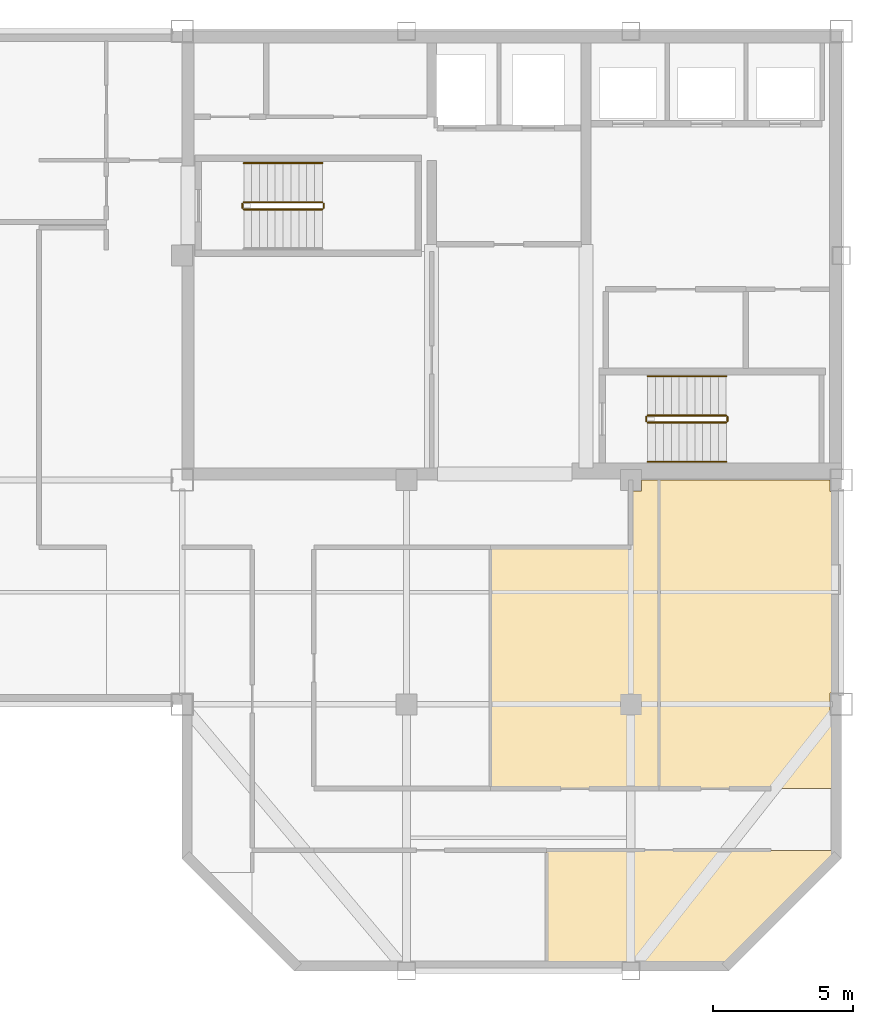
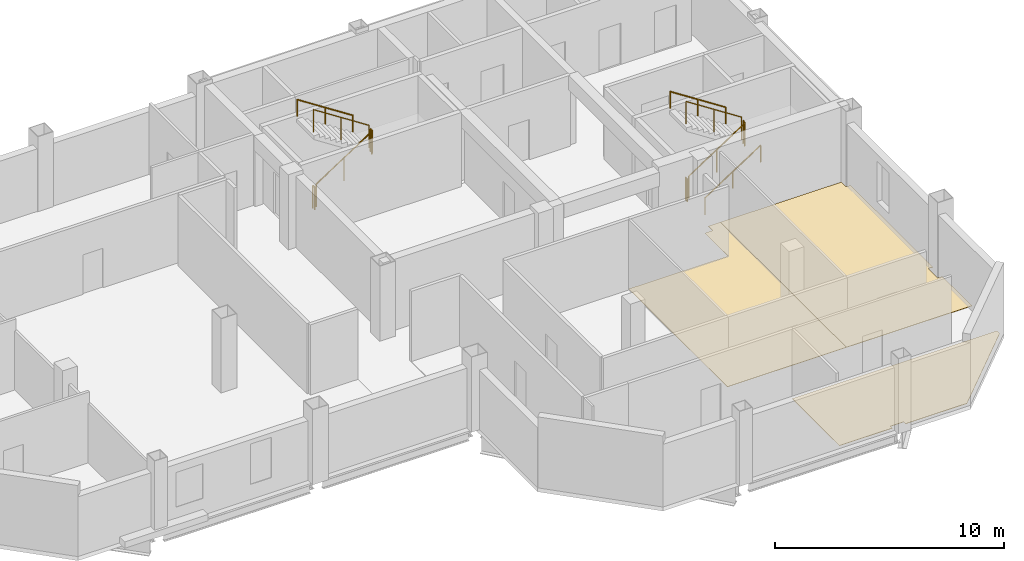
# One storey, part 6 of 7: 11 railings, 3 coverings.
"""IFC4 building model written with IfcOpenShell, lengths in metres."""

from ifc_helpers import new_model, si_unit, direction, frame, origin, origin_2d, place, context, subcontext, project, spatial, polyline, circle, outline, extrude, material, layer, layer_set, type_object, element, save


model = new_model("IFC4")

# Units and contexts
model_context = context("Model", 3, precision=1e-05, world=origin(), true_north=direction((0.0, 1.0)))
body_context = subcontext(model_context, "Body", "Model", "MODEL_VIEW")
ifc_project = project(units=[si_unit("LENGTHUNIT", "METRE"), si_unit("AREAUNIT", "SQUARE_METRE"), si_unit("VOLUMEUNIT", "CUBIC_METRE"), si_unit("PLANEANGLEUNIT", "RADIAN"), si_unit("MASSUNIT", "GRAM", prefix="KILO")], contexts=[model_context])

# Site, building, storey
site_placement = place(None, origin())
site = spatial("IfcSite", under=ifc_project, at=site_placement, CompositionType="ELEMENT")
building_placement = place(site_placement, origin())
building = spatial("IfcBuilding", under=site, at=building_placement, Name="Qianrong Seaharbour Tower", CompositionType="ELEMENT")
storey_placement = place(building_placement, frame((0.0, 0.0, 327.199951171875)))
storey = spatial("IfcBuildingStorey", under=building, at=storey_placement, Name="L79", CompositionType="ELEMENT", Elevation=327.199951171875)

# Coverings
ifc_material_1 = material(Name="Acoustic modular carpet tile flooring")
ifc_layer = layer(ifc_material_1, 0.02001953125)
ifc_layer_set = layer_set([ifc_layer], Name="Acoustic modular carpet tile flooring")
covering_type = type_object("IfcCoveringType", Name="COV-FLOOR-CARPET-20", PredefinedType="FLOORING", material=ifc_layer_set)
covering_1_placement = place(storey_placement, origin())
element("IfcCovering", 1, at=covering_1_placement, inside=storey, type_object=covering_type, Name="L79 Catering Servery Kitchen 2 Finish Flooring", PredefinedType="FLOORING", context=body_context, shape_type="SweptSolid", body=[
    extrude(outline(polyline([(56.5, 33.60009765625), (56.5, 35.614990234375), (56.885009765625, 35.614990234375), (56.885009765625, 36.0), (57.5, 36.0), (57.5, 25.0), (51.5, 25.0), (51.5, 33.60009765625), (56.5, 33.60009765625)])), origin(), (0.0, 0.0, 1.0), 0.02001953125),
])
covering_2_placement = place(storey_placement, origin())
element("IfcCovering", 2, at=covering_2_placement, inside=storey, type_object=covering_type, Name="L79 Staff Lounge 3 Finish Flooring", PredefinedType="FLOORING", context=body_context, shape_type="SweptSolid", body=[
    extrude(outline(polyline([(63.590087890625, 36.0), (63.590087890625, 35.590087890625), (63.824951171875, 35.590087890625), (63.824951171875, 28.409912109375), (63.590087890625, 28.409912109375), (63.590087890625, 27.590087890625), (63.824951171875, 27.590087890625), (63.824951171875, 25.0), (57.5, 25.0), (57.5, 36.0), (63.590087890625, 36.0)])), origin(), (0.0, 0.0, 1.0), 0.02001953125),
])
covering_3_placement = place(storey_placement, origin())
element("IfcCovering", 3, at=covering_3_placement, inside=storey, type_object=covering_type, Name="L79 Tea Servery Pantry 2 Finish Flooring", PredefinedType="FLOORING", context=body_context, shape_type="SweptSolid", body=[
    extrude(outline(polyline([(63.824951171875, 22.572509765625), (59.927490234375, 18.675048828125), (56.8349609375, 18.675048828125), (56.8349609375, 18.8349609375), (56.1650390625, 18.8349609375), (56.1650390625, 18.675048828125), (53.5, 18.675048828125), (53.5, 22.800048828125), (63.824951171875, 22.800048828125), (63.824951171875, 22.572509765625)])), origin(), (0.0, 0.0, 1.0), 0.02001953125),
])

# Railings
ifc_material_2 = material(Name="Galvanized painted steel SN400B stair guard", Category="steel")
railing_type_1 = type_object("IfcRailingType", Name="RAIL-STAIR-GUARD-1220", PredefinedType="GUARDRAIL", material=ifc_material_2)
railing_1_placement = place(storey_placement, frame((42.699951171875, 45.64990234375, 0.181884765625)))
element("IfcRailing", 4, at=railing_1_placement, inside=storey, type_object=railing_type_1, Name="L79 ST-1 stair guard 1", PredefinedType="GUARDRAIL", context=body_context, shape_type="SweptSolid", body=[
    extrude(circle(Radius=0.02392578125, at=origin_2d()), frame((0.0, 0.0, 1.19580078125), z_axis=(0.838705829183, 0.0, 0.544584733623), x_axis=(0.0, 1.0, 0.0)), (0.0, 0.0, 1.0), 3.338623046875),
    extrude(circle(Radius=0.02099609375, at=origin_2d()), origin(), (0.0, 0.0, 1.0), 1.171875),
    extrude(circle(Radius=0.02099609375, at=origin_2d()), frame((1.39990234375, 0.0, 0.9091796875)), (0.0, 0.0, 1.0), 1.171875),
    extrude(circle(Radius=0.02099609375, at=origin_2d()), frame((2.800048828125, 0.0, 1.818115234375)), (0.0, 0.0, 1.0), 1.171875),
])
railing_2_placement = place(storey_placement, frame((45.550048828125, 45.699951171875, 2.0)))
element("IfcRailing", 5, at=railing_2_placement, inside=storey, type_object=railing_type_1, Name="L79 ST-1 stair guard 2", PredefinedType="GUARDRAIL", context=body_context, shape_type="SweptSolid", body=[
    extrude(circle(Radius=0.02392578125, at=origin_2d()), frame((0.0, 0.0, 1.19580078125), z_axis=(0.0, 1.0, 0.0), x_axis=(-1.0, 0.0, 0.0)), (0.0, 0.0, 1.0), 0.150146484375),
    extrude(circle(Radius=0.02099609375, at=origin_2d()), origin(), (0.0, 0.0, 1.0), 1.171875),
    extrude(circle(Radius=0.02099609375, at=origin_2d()), frame((0.0, 0.150146484375, 0.0)), (0.0, 0.0, 1.0), 1.171875),
])
railing_3_placement = place(storey_placement, frame((45.5, 45.89990234375, 2.181884765625)))
element("IfcRailing", 6, at=railing_3_placement, inside=storey, type_object=railing_type_1, Name="L79 ST-1 stair guard 3", PredefinedType="GUARDRAIL", context=body_context, shape_type="SweptSolid", body=[
    extrude(circle(Radius=0.02392578125, at=origin_2d()), frame((0.0, 0.0, 1.19580078125), z_axis=(-0.838705829183, 0.0, 0.544584733623), x_axis=(0.0, -1.0, 0.0)), (0.0, 0.0, 1.0), 3.338623046875),
    extrude(circle(Radius=0.02099609375, at=origin_2d()), origin(), (0.0, 0.0, 1.0), 1.171875),
    extrude(circle(Radius=0.02099609375, at=origin_2d()), frame((-1.39990234375, 0.0, 0.9091796875)), (0.0, 0.0, 1.0), 1.171875),
    extrude(circle(Radius=0.02099609375, at=origin_2d()), frame((-2.800048828125, 0.0, 1.818115234375)), (0.0, 0.0, 1.0), 1.171875),
])
railing_4_placement = place(storey_placement, frame((42.64990234375, 45.699951171875, 0.0)))
element("IfcRailing", 7, at=railing_4_placement, inside=storey, type_object=railing_type_1, Name="L79 ST-1 stair guard 4", PredefinedType="GUARDRAIL", context=body_context, shape_type="SweptSolid", body=[
    extrude(circle(Radius=0.02392578125, at=origin_2d()), frame((0.0, 0.0, 1.19580078125), z_axis=(0.0, 1.0, 0.0), x_axis=(-1.0, 0.0, 0.0)), (0.0, 0.0, 1.0), 0.150146484375),
    extrude(circle(Radius=0.02099609375, at=origin_2d()), origin(), (0.0, 0.0, 1.0), 1.171875),
    extrude(circle(Radius=0.02099609375, at=origin_2d()), frame((0.0, 0.150146484375, 0.0)), (0.0, 0.0, 1.0), 1.171875),
])
railing_5_placement = place(storey_placement, frame((57.10009765625, 38.050048828125, 0.181884765625)))
element("IfcRailing", 8, at=railing_5_placement, inside=storey, type_object=railing_type_1, Name="L79 ST-2 stair guard 1", PredefinedType="GUARDRAIL", context=body_context, shape_type="SweptSolid", body=[
    extrude(circle(Radius=0.02392578125, at=origin_2d()), frame((0.0, 0.0, 1.19580078125), z_axis=(0.83868413941, 0.0, 0.544618136222), x_axis=(0.0, 1.0, 0.0)), (0.0, 0.0, 1.0), 3.33837890625),
    extrude(circle(Radius=0.02099609375, at=origin_2d()), origin(), (0.0, 0.0, 1.0), 1.171875),
    extrude(circle(Radius=0.02099609375, at=origin_2d()), frame((1.39990234375, 0.0, 0.9091796875)), (0.0, 0.0, 1.0), 1.171875),
    extrude(circle(Radius=0.02099609375, at=origin_2d()), frame((2.7998046875, 0.0, 1.818115234375)), (0.0, 0.0, 1.0), 1.171875),
])
railing_6_placement = place(storey_placement, frame((59.949951171875, 38.10009765625, 2.0)))
element("IfcRailing", 9, at=railing_6_placement, inside=storey, type_object=railing_type_1, Name="L79 ST-2 stair guard 2", PredefinedType="GUARDRAIL", context=body_context, shape_type="SweptSolid", body=[
    extrude(circle(Radius=0.02392578125, at=origin_2d()), frame((0.0, 0.0, 1.19580078125), z_axis=(0.0, 1.0, 0.0), x_axis=(-1.0, 0.0, 0.0)), (0.0, 0.0, 1.0), 0.14990234375),
    extrude(circle(Radius=0.02099609375, at=origin_2d()), origin(), (0.0, 0.0, 1.0), 1.171875),
    extrude(circle(Radius=0.02099609375, at=origin_2d()), frame((0.0, 0.14990234375, 0.0)), (0.0, 0.0, 1.0), 1.171875),
])
railing_7_placement = place(storey_placement, frame((59.89990234375, 38.300048828125, 2.181884765625)))
element("IfcRailing", 10, at=railing_7_placement, inside=storey, type_object=railing_type_1, Name="L79 ST-2 stair guard 3", PredefinedType="GUARDRAIL", context=body_context, shape_type="SweptSolid", body=[
    extrude(circle(Radius=0.02392578125, at=origin_2d()), frame((0.0, 0.0, 1.19580078125), z_axis=(-0.83868413941, 0.0, 0.544618136222), x_axis=(0.0, -1.0, 0.0)), (0.0, 0.0, 1.0), 3.33837890625),
    extrude(circle(Radius=0.02099609375, at=origin_2d()), origin(), (0.0, 0.0, 1.0), 1.171875),
    extrude(circle(Radius=0.02099609375, at=origin_2d()), frame((-1.39990234375, 0.0, 0.9091796875)), (0.0, 0.0, 1.0), 1.171875),
    extrude(circle(Radius=0.02099609375, at=origin_2d()), frame((-2.7998046875, 0.0, 1.818115234375)), (0.0, 0.0, 1.0), 1.171875),
])
railing_8_placement = place(storey_placement, frame((57.050048828125, 38.10009765625, 0.0)))
element("IfcRailing", 11, at=railing_8_placement, inside=storey, type_object=railing_type_1, Name="L79 ST-2 stair guard 4", PredefinedType="GUARDRAIL", context=body_context, shape_type="SweptSolid", body=[
    extrude(circle(Radius=0.02392578125, at=origin_2d()), frame((0.0, 0.0, 1.19580078125), z_axis=(0.0, 1.0, 0.0), x_axis=(-1.0, 0.0, 0.0)), (0.0, 0.0, 1.0), 0.14990234375),
    extrude(circle(Radius=0.02099609375, at=origin_2d()), origin(), (0.0, 0.0, 1.0), 1.171875),
    extrude(circle(Radius=0.02099609375, at=origin_2d()), frame((0.0, 0.14990234375, 0.0)), (0.0, 0.0, 1.0), 1.171875),
])
ifc_material_3 = material(Name="Stainless steel SUS316L continuous handrail", Category="steel")
railing_type_2 = type_object("IfcRailingType", Name="RAIL-STAIR-HANDRAIL-900", PredefinedType="HANDRAIL", material=ifc_material_3)
railing_9_placement = place(storey_placement, frame((45.5, 47.300048828125, 2.181884765625)))
element("IfcRailing", 12, at=railing_9_placement, inside=storey, type_object=railing_type_2, Name="L79 ST-1 stair handrail 2", PredefinedType="HANDRAIL", context=body_context, shape_type="SweptSolid", body=[
    extrude(circle(Radius=0.02392578125, at=origin_2d()), frame((0.0, 0.0, 0.8759765625), z_axis=(-0.838705829183, 0.0, 0.544584733623), x_axis=(0.0, -1.0, 0.0)), (0.0, 0.0, 1.0), 3.338623046875),
    extrude(circle(Radius=0.02099609375, at=origin_2d()), origin(), (0.0, 0.0, 1.0), 0.851806640625),
    extrude(circle(Radius=0.02099609375, at=origin_2d()), frame((-1.39990234375, 0.0, 0.9091796875)), (0.0, 0.0, 1.0), 0.851806640625),
    extrude(circle(Radius=0.02099609375, at=origin_2d()), frame((-2.800048828125, 0.0, 1.818115234375)), (0.0, 0.0, 1.0), 0.851806640625),
])
railing_10_placement = place(storey_placement, frame((57.10009765625, 36.64990234375, 0.181884765625)))
element("IfcRailing", 13, at=railing_10_placement, inside=storey, type_object=railing_type_2, Name="L79 ST-2 stair handrail 1", PredefinedType="HANDRAIL", context=body_context, shape_type="SweptSolid", body=[
    extrude(circle(Radius=0.02392578125, at=origin_2d()), frame((0.0, 0.0, 0.8759765625), z_axis=(0.83868413941, 0.0, 0.544618136222), x_axis=(0.0, 1.0, 0.0)), (0.0, 0.0, 1.0), 3.33837890625),
    extrude(circle(Radius=0.02099609375, at=origin_2d()), origin(), (0.0, 0.0, 1.0), 0.851806640625),
    extrude(circle(Radius=0.02099609375, at=origin_2d()), frame((1.39990234375, 0.0, 0.9091796875)), (0.0, 0.0, 1.0), 0.851806640625),
    extrude(circle(Radius=0.02099609375, at=origin_2d()), frame((2.7998046875, 0.0, 1.818115234375)), (0.0, 0.0, 1.0), 0.851806640625),
])
railing_11_placement = place(storey_placement, frame((59.89990234375, 39.699951171875, 2.181884765625)))
element("IfcRailing", 14, at=railing_11_placement, inside=storey, type_object=railing_type_2, Name="L79 ST-2 stair handrail 2", PredefinedType="HANDRAIL", context=body_context, shape_type="SweptSolid", body=[
    extrude(circle(Radius=0.02392578125, at=origin_2d()), frame((0.0, 0.0, 0.8759765625), z_axis=(-0.83868413941, 0.0, 0.544618136222), x_axis=(0.0, -1.0, 0.0)), (0.0, 0.0, 1.0), 3.33837890625),
    extrude(circle(Radius=0.02099609375, at=origin_2d()), origin(), (0.0, 0.0, 1.0), 0.851806640625),
    extrude(circle(Radius=0.02099609375, at=origin_2d()), frame((-1.39990234375, 0.0, 0.9091796875)), (0.0, 0.0, 1.0), 0.851806640625),
    extrude(circle(Radius=0.02099609375, at=origin_2d()), frame((-2.7998046875, 0.0, 1.818115234375)), (0.0, 0.0, 1.0), 0.851806640625),
])

save(model, "model.ifc")
